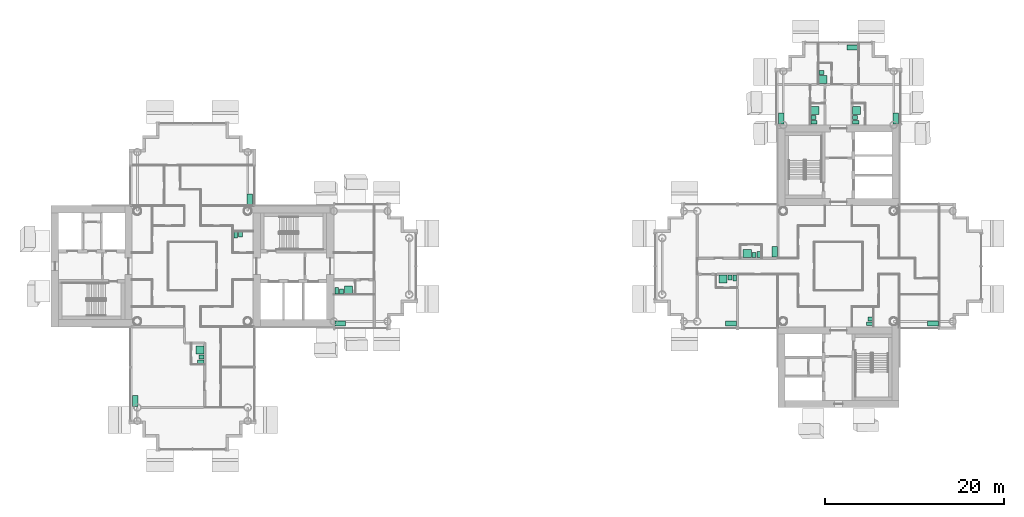
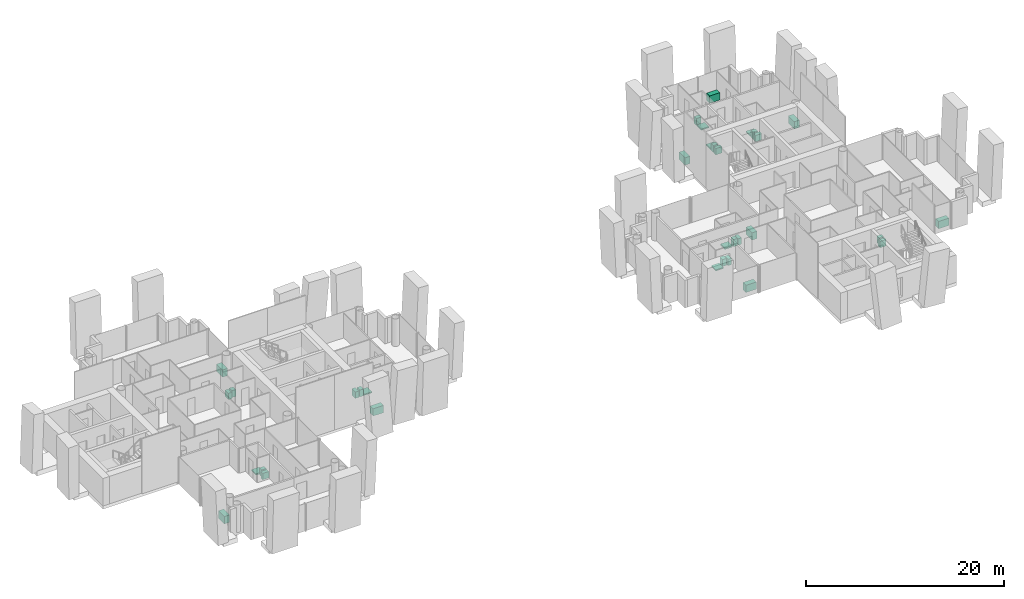
# One storey, part 18 of 18: 33 sanitary terminals.
"""IFC4 building model written with IfcOpenShell, lengths in metres."""

from ifc_helpers import new_model, si_unit, direction, frame, origin, origin_2d, place, context, subcontext, project, spatial, rectangle, extrude, material, type_object, element, save


model = new_model("IFC4")

# Units and contexts
model_context = context("Model", 3, precision=1e-05, world=origin(), true_north=direction((0.0, 1.0)))
body_context = subcontext(model_context, "Body", "Model", "MODEL_VIEW")
ifc_project = project(units=[si_unit("LENGTHUNIT", "METRE"), si_unit("AREAUNIT", "SQUARE_METRE"), si_unit("VOLUMEUNIT", "CUBIC_METRE"), si_unit("PLANEANGLEUNIT", "RADIAN"), si_unit("MASSUNIT", "GRAM", prefix="KILO")], contexts=[model_context])

# Site, building, storey
site_placement = place(None, origin())
site = spatial("IfcSite", under=ifc_project, at=site_placement, CompositionType="ELEMENT")
building_placement = place(site_placement, origin())
building = spatial("IfcBuilding", under=site, at=building_placement, Name="Ipe Terrace Towers", CompositionType="ELEMENT")
storey_placement = place(building_placement, frame((0.0, 0.0, 171.10009765625)))
storey = spatial("IfcBuildingStorey", under=building, at=storey_placement, Name="L47", CompositionType="ELEMENT", Elevation=171.10009765625)

# Sanitary terminals
ifc_material_1 = material(Name="Stainless sink unit", Category="metal")
sanitary_terminal_type_1 = type_object("IfcSanitaryTerminalType", Name="Kitchen sink unit", PredefinedType="SINK", material=ifc_material_1)
for number, where, z_axis, x_axis, name in (
    (1, (-29.6201171875, 7.469970703125, 0.0), (0.0, 0.0, 1.0), (0.0, -1.0, 0.0), "Kitchen sink unit"),
    (2, (-42.3798828125, -15.030029296875, 0.0), (0.0, 0.0, 1.0), (0.0, 1.0, 0.0), "Kitchen sink unit"),
    (3, (-19.530029296875, -6.3798828125, 0.0), (0.0, 0.0, 1.0), (-1.0, 0.0, 0.0), "Kitchen sink unit"),
    (4, (24.030029296875, -6.3798828125, 0.0), (0.0, 0.0, 1.0), (-1.0, 0.0, 0.0), "Kitchen sink unit"),
    (5, (28.8798828125, 1.6201171875, 0.0), (0.0, 0.0, 1.0), (0.0, -1.0, 0.0), "Kitchen sink unit"),
    (6, (46.530029296875, -6.3798828125, 0.0), (0.0, 0.0, 1.0), (-1.0, 0.0, 0.0), "Kitchen sink unit"),
    (7, (29.6201171875, 16.469970703125, 0.0), (0.0, 0.0, 1.0), (0.0, 1.0, 0.0), "Kitchen sink unit"),
    (8, (42.3798828125, 16.469970703125, 0.0), (0.0, 0.0, 1.0), (0.0, -1.0, 0.0), "Kitchen sink unit"),
    (9, (37.530029296875, 24.3798828125, 0.0), (0.0, 0.0, 1.0), (1.0, 0.0, 0.0), "Kitchen sink unit"),
):
    element("IfcSanitaryTerminal", number, at=place(storey_placement, frame(where, z_axis=z_axis, x_axis=x_axis)), inside=storey, type_object=sanitary_terminal_type_1, Name=name, PredefinedType="SINK", context=body_context, shape_type="SweptSolid", body=[
        extrude(rectangle(XDim=1.199951171875, YDim=0.60009765625, at=origin_2d()), origin(), (0.0, 0.0, 1.0), 0.89990234375),
    ])
ifc_material_2 = material(Name="Acrylic", Category="plastic")
sanitary_terminal_type_2 = type_object("IfcSanitaryTerminalType", Name="Shower tray", PredefinedType="SHOWER", material=ifc_material_2)
for number, where, z_axis, x_axis, name in (
    (10, (-35.169921875, -9.330078125, 0.0), (0.0, 0.0, 1.0), (-1.0, 0.0, 0.0), "Shower tray"),
    (11, (-18.6298828125, -2.6298828125, 0.0), (0.0, 0.0, 1.0), (0.0, 1.0, 0.0), "Shower tray"),
    (12, (23.1298828125, -1.419921875, 0.0), (0.0, 0.0, 1.0), (0.0, -1.0, 0.0), "Shower tray"),
    (13, (25.830078125, 1.419921875, 0.0), (0.0, 0.0, 1.0), (0.0, 1.0, 0.0), "Shower tray"),
    (14, (33.3701171875, 17.3701171875, 0.0), (0.0, 0.0, 1.0), (1.0, 0.0, 0.0), "Shower tray"),
    (15, (38.02001953125, 17.3701171875, 0.0), (0.0, 0.0, 1.0), (1.0, 0.0, 0.0), "Shower tray"),
    (16, (34.27001953125, 20.820068359375, 0.0), (0.0, 0.0, 1.0), (1.0, 0.0, 0.0), "Shower tray"),
):
    element("IfcSanitaryTerminal", number, at=place(storey_placement, frame(where, z_axis=z_axis, x_axis=x_axis)), inside=storey, type_object=sanitary_terminal_type_2, Name=name, PredefinedType="SHOWER", context=body_context, shape_type="SweptSolid", body=[
        extrude(rectangle(XDim=0.89990234375, YDim=0.89990234375, at=origin_2d()), origin(), (0.0, 0.0, 1.0), 0.14990234375),
    ])
ifc_material_3 = material(Name="Vitreous china", Category="ceramic")
sanitary_terminal_type_3 = type_object("IfcSanitaryTerminalType", Name="Wash basin", PredefinedType="WASHHANDBASIN", material=ifc_material_3)
for number, where, z_axis, x_axis, name in (
    (17, (-30.655029296875, 3.554931640625, -0.000244140625), (0.0, 0.0, 1.0), (0.0, -1.0, 0.0), "Wash basin"),
    (18, (-34.9951171875, -10.10498046875, -0.000244140625), (0.0, 0.0, 1.0), (-1.0, 0.0, 0.0), "Wash basin"),
    (19, (-19.405029296875, -2.804931640625, -0.000244140625), (0.0, 0.0, 1.0), (0.0, 1.0, 0.0), "Wash basin"),
    (20, (39.554931640625, -5.905029296875, -0.000244140625), (0.0, 0.0, 1.0), (-1.0, 0.0, 0.0), "Wash basin"),
    (21, (23.905029296875, -1.2451171875, -0.000244140625), (0.0, 0.0, 1.0), (0.0, -1.0, 0.0), "Wash basin"),
    (22, (26.60498046875, 1.2451171875, -0.000244140625), (0.0, 0.0, 1.0), (0.0, 1.0, 0.0), "Wash basin"),
    (23, (33.195068359375, 16.594970703125, -0.000244140625), (0.0, 0.0, 1.0), (1.0, 0.0, 0.0), "Wash basin"),
    (24, (37.844970703125, 16.594970703125, -0.000244140625), (0.0, 0.0, 1.0), (1.0, 0.0, 0.0), "Wash basin"),
    (25, (34.094970703125, 21.594970703125, -0.000244140625), (0.0, 0.0, 1.0), (1.0, 0.0, 0.0), "Wash basin"),
):
    element("IfcSanitaryTerminal", number, at=place(storey_placement, frame(where, z_axis=z_axis, x_axis=x_axis)), inside=storey, type_object=sanitary_terminal_type_3, Name=name, PredefinedType="WASHHANDBASIN", context=body_context, shape_type="SweptSolid", body=[
        extrude(rectangle(XDim=0.550048828125, YDim=0.449951171875, at=origin_2d()), origin(), (0.0, 0.0, 1.0), 0.85009765625),
    ])
ifc_material_4 = material(Name="Vitreous china", Category="ceramic")
sanitary_terminal_type_4 = type_object("IfcSanitaryTerminalType", Name="Water closet", PredefinedType="TOILETPAN", material=ifc_material_4)
for number, where, z_axis, x_axis, name in (
    (26, (-31.179931640625, 3.47998046875, 0.0), (0.0, 0.0, 1.0), (0.0, -1.0, 0.0), "Water closet"),
    (27, (-35.070068359375, -10.6298828125, 0.0), (0.0, 0.0, 1.0), (-1.0, 0.0, 0.0), "Water closet"),
    (28, (-19.929931640625, -2.72998046875, 0.0), (0.0, 0.0, 1.0), (0.0, 1.0, 0.0), "Water closet"),
    (29, (39.47998046875, -6.429931640625, 0.0), (0.0, 0.0, 1.0), (-1.0, 0.0, 0.0), "Water closet"),
    (30, (24.429931640625, -1.320068359375, 0.0), (0.0, 0.0, 1.0), (0.0, -1.0, 0.0), "Water closet"),
    (31, (27.1298828125, 1.320068359375, 0.0), (0.0, 0.0, 1.0), (0.0, 1.0, 0.0), "Water closet"),
    (32, (33.27001953125, 16.070068359375, 0.0), (0.0, 0.0, 1.0), (1.0, 0.0, 0.0), "Water closet"),
    (33, (37.919921875, 16.070068359375, 0.0), (0.0, 0.0, 1.0), (1.0, 0.0, 0.0), "Water closet"),
):
    element("IfcSanitaryTerminal", number, at=place(storey_placement, frame(where, z_axis=z_axis, x_axis=x_axis)), inside=storey, type_object=sanitary_terminal_type_4, Name=name, PredefinedType="TOILETPAN", context=body_context, shape_type="SweptSolid", body=[
        extrude(rectangle(XDim=0.699951171875, YDim=0.39990234375, at=origin_2d()), origin(), (0.0, 0.0, 1.0), 0.780029296875),
    ])

save(model, "model.ifc")
